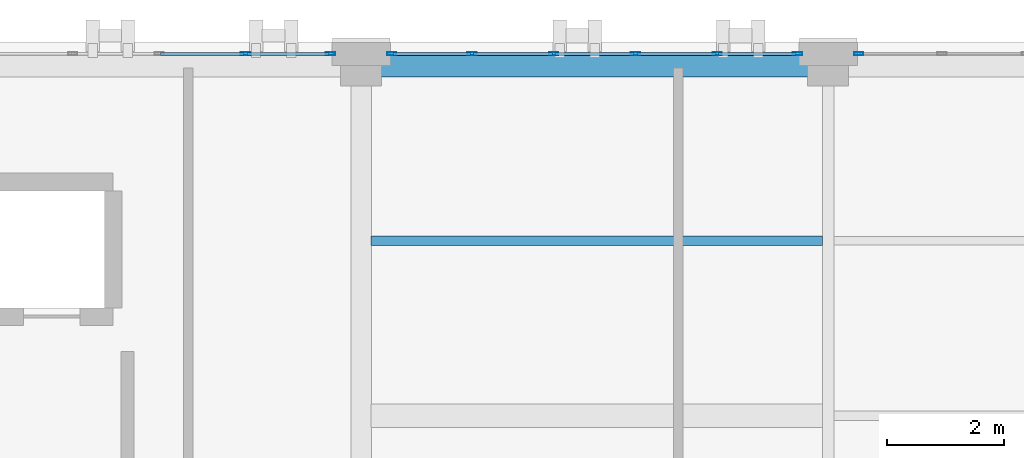
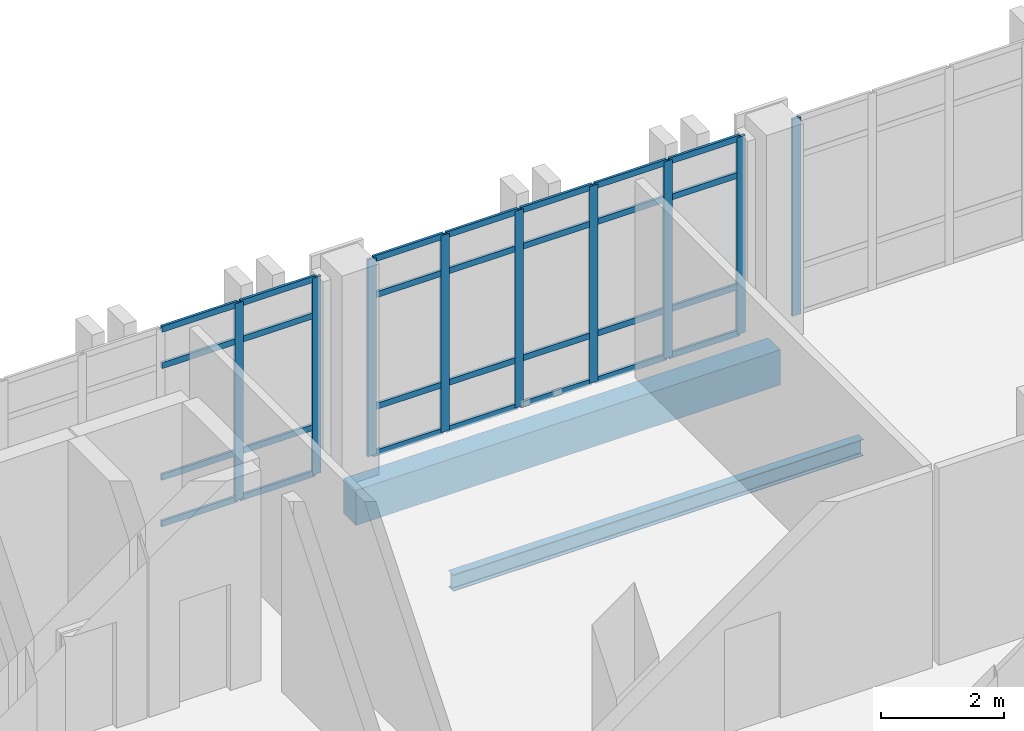
# One storey, part 92 of 158: 37 members, 2 beams, 3 elements without a shape of their own.
"""IFC4 building model written with IfcOpenShell, lengths in metres."""

from ifc_helpers import new_model, si_unit, direction, frame, origin, origin_2d, place, context, subcontext, project, spatial, rectangle, hollow_rectangle, i_section, extrude, material, layer, layer_set, material_profile, profile_set, type_object, element, aggregate, save


model = new_model("IFC4")

# Units and contexts
model_context = context("Model", 3, precision=1e-05, world=origin(), true_north=direction((0.0, 1.0)))
body_context = subcontext(model_context, "Body", "Model", "MODEL_VIEW")
ifc_project = project(units=[si_unit("LENGTHUNIT", "METRE"), si_unit("AREAUNIT", "SQUARE_METRE"), si_unit("VOLUMEUNIT", "CUBIC_METRE"), si_unit("PLANEANGLEUNIT", "RADIAN"), si_unit("MASSUNIT", "GRAM", prefix="KILO")], contexts=[model_context])

# Site, building, storey
site_placement = place(None, origin())
site = spatial("IfcSite", under=ifc_project, at=site_placement, CompositionType="ELEMENT")
building_placement = place(site_placement, origin())
building = spatial("IfcBuilding", under=site, at=building_placement, Name="Qalavern Law Courts", CompositionType="ELEMENT")
storey_placement = place(building_placement, frame((0.0, 0.0, 18.60009765625)))
storey = spatial("IfcBuildingStorey", under=building, at=storey_placement, Name="L04", CompositionType="ELEMENT", Elevation=18.60009765625)

# Curtain wall, member
ifc_material_1 = material(Name="Anodised aluminium and insulated glazing", Category="aluminium")
ifc_layer = layer(ifc_material_1, 0.166015625)
ifc_layer_set = layer_set([ifc_layer], Name="Anodised aluminium and insulated glazing")
curtain_wall_type = type_object("IfcCurtainWallType", Name="ENV-CW-LIB", PredefinedType="USERDEFINED", material=ifc_layer_set)
curtain_wall_1_placement = place(storey_placement, origin())
curtain_wall_1 = element("IfcCurtainWall", 1, at=curtain_wall_1_placement, inside=storey, type_object=curtain_wall_type, Name="V5 unitised curtain wall L04 north 3", ObjectType="UNITISED CURTAIN WALL", PredefinedType="USERDEFINED")
ifc_material_2 = material(Name="Anodised aluminium", Category="aluminium")
ifc_material_profile_1 = material_profile(ifc_material_2, hollow_rectangle(XDim=0.048095703125, YDim=0.159912109375, WallThickness=0.00390625, at=origin_2d()), Name="ALU MULLION 48x160")
ifc_profile_set_1 = profile_set([ifc_material_profile_1], Name="Anodised aluminium")
member_type_1 = type_object("IfcMemberType", Name="ENV-CWM-48x160", PredefinedType="MULLION", material=ifc_profile_set_1)
member_1_placement = place(storey_placement, frame((45.323974609375, 112.800048828125, 0.0), z_axis=(0.0, 0.0, 1.0), x_axis=(0.0, -1.0, 0.0)))
member_1 = element("IfcMember", 2, at=member_1_placement, type_object=member_type_1, Name="CW-05 mullion 5", PredefinedType="MULLION", context=body_context, shape_type="SweptSolid", body=[
    extrude(hollow_rectangle(XDim=0.048095703125, YDim=0.159912109375, WallThickness=0.00390625, at=origin_2d()), origin(), (0.0, 0.0, 1.0), 3.9248046875),
])
aggregate(curtain_wall_1, [member_1])

# Curtain wall, members
curtain_wall_2_placement = place(storey_placement, origin())
curtain_wall_2 = element("IfcCurtainWall", 3, at=curtain_wall_2_placement, inside=storey, type_object=curtain_wall_type, Name="V5 unitised curtain wall L04 north 4", ObjectType="UNITISED CURTAIN WALL", PredefinedType="USERDEFINED")
member_2_placement = place(storey_placement, frame((44.27587890625, 112.800048828125, 0.0), z_axis=(0.0, 0.0, 1.0), x_axis=(0.0, -1.0, 0.0)))
member_2 = element("IfcMember", 4, at=member_2_placement, type_object=member_type_1, Name="CW-05 mullion 1", PredefinedType="MULLION", context=body_context, shape_type="SweptSolid", body=[
    extrude(hollow_rectangle(XDim=0.048095703125, YDim=0.159912109375, WallThickness=0.00390625, at=origin_2d()), origin(), (0.0, 0.0, 1.0), 3.9248046875),
])
member_3_placement = place(storey_placement, frame((42.89990234375, 112.800048828125, 0.0), z_axis=(0.0, 0.0, 1.0), x_axis=(0.0, -1.0, 0.0)))
member_3 = element("IfcMember", 5, at=member_3_placement, type_object=member_type_1, Name="CW-05 mullion 2", PredefinedType="MULLION", context=body_context, shape_type="SweptSolid", body=[
    extrude(hollow_rectangle(XDim=0.048095703125, YDim=0.159912109375, WallThickness=0.00390625, at=origin_2d()), origin(), (0.0, 0.0, 1.0), 3.9248046875),
])
member_4_placement = place(storey_placement, frame((41.5, 112.800048828125, 0.0), z_axis=(0.0, 0.0, 1.0), x_axis=(0.0, -1.0, 0.0)))
member_4 = element("IfcMember", 6, at=member_4_placement, type_object=member_type_1, Name="CW-05 mullion 3", PredefinedType="MULLION", context=body_context, shape_type="SweptSolid", body=[
    extrude(hollow_rectangle(XDim=0.048095703125, YDim=0.159912109375, WallThickness=0.00390625, at=origin_2d()), origin(), (0.0, 0.0, 1.0), 3.9248046875),
])
member_5_placement = place(storey_placement, frame((40.10009765625, 112.800048828125, 0.0), z_axis=(0.0, 0.0, 1.0), x_axis=(0.0, -1.0, 0.0)))
member_5 = element("IfcMember", 7, at=member_5_placement, type_object=member_type_1, Name="CW-05 mullion 4", PredefinedType="MULLION", context=body_context, shape_type="SweptSolid", body=[
    extrude(hollow_rectangle(XDim=0.048095703125, YDim=0.159912109375, WallThickness=0.00390625, at=origin_2d()), origin(), (0.0, 0.0, 1.0), 3.9248046875),
])
member_6_placement = place(storey_placement, frame((38.699951171875, 112.800048828125, 0.0), z_axis=(0.0, 0.0, 1.0), x_axis=(0.0, -1.0, 0.0)))
member_6 = element("IfcMember", 8, at=member_6_placement, type_object=member_type_1, Name="CW-05 mullion 5", PredefinedType="MULLION", context=body_context, shape_type="SweptSolid", body=[
    extrude(hollow_rectangle(XDim=0.048095703125, YDim=0.159912109375, WallThickness=0.00390625, at=origin_2d()), origin(), (0.0, 0.0, 1.0), 3.9248046875),
])
member_7_placement = place(storey_placement, frame((37.323974609375, 112.800048828125, 0.0), z_axis=(0.0, 0.0, 1.0), x_axis=(0.0, -1.0, 0.0)))
member_7 = element("IfcMember", 9, at=member_7_placement, type_object=member_type_1, Name="CW-05 mullion 6", PredefinedType="MULLION", context=body_context, shape_type="SweptSolid", body=[
    extrude(hollow_rectangle(XDim=0.048095703125, YDim=0.159912109375, WallThickness=0.00390625, at=origin_2d()), origin(), (0.0, 0.0, 1.0), 3.9248046875),
])

curtain_wall_3_placement = place(storey_placement, origin())
curtain_wall_3 = element("IfcCurtainWall", 10, at=curtain_wall_3_placement, inside=storey, type_object=curtain_wall_type, Name="V5 unitised curtain wall L04 north 5", ObjectType="UNITISED CURTAIN WALL", PredefinedType="USERDEFINED")
member_8_placement = place(storey_placement, frame((36.27587890625, 112.800048828125, 0.0), z_axis=(0.0, 0.0, 1.0), x_axis=(0.0, -1.0, 0.0)))
member_8 = element("IfcMember", 11, at=member_8_placement, type_object=member_type_1, Name="CW-05 mullion 1", PredefinedType="MULLION", context=body_context, shape_type="SweptSolid", body=[
    extrude(hollow_rectangle(XDim=0.048095703125, YDim=0.159912109375, WallThickness=0.00390625, at=origin_2d()), origin(), (0.0, 0.0, 1.0), 3.9248046875),
])
member_9_placement = place(storey_placement, frame((34.820068359375, 112.800048828125, 0.0), z_axis=(0.0, 0.0, 1.0), x_axis=(0.0, -1.0, 0.0)))
member_9 = element("IfcMember", 12, at=member_9_placement, type_object=member_type_1, Name="CW-05 mullion 2", PredefinedType="MULLION", context=body_context, shape_type="SweptSolid", body=[
    extrude(hollow_rectangle(XDim=0.048095703125, YDim=0.159912109375, WallThickness=0.00390625, at=origin_2d()), origin(), (0.0, 0.0, 1.0), 3.9248046875),
])

# Member
ifc_material_profile_2 = material_profile(ifc_material_2, hollow_rectangle(XDim=0.048095703125, YDim=0.1201171875, WallThickness=0.00390625, at=origin_2d()), Name="ALU TRANSOM 48x120")
ifc_profile_set_2 = profile_set([ifc_material_profile_2], Name="Anodised aluminium")
member_type_2 = type_object("IfcMemberType", Name="ENV-CWT-48x120", PredefinedType="USERDEFINED", material=ifc_profile_set_2)
member_10_placement = place(storey_placement, frame((44.251953125, 112.800048828125, 0.02392578125), z_axis=(-1.0, 0.0, 0.0), x_axis=(0.0, -1.0, 0.0)))
member_10 = element("IfcMember", 13, at=member_10_placement, type_object=member_type_2, Name="CW-05 transom 1.1", ObjectType="TRANSOM", PredefinedType="USERDEFINED", context=body_context, shape_type="SweptSolid", body=[
    extrude(hollow_rectangle(XDim=0.048095703125, YDim=0.1201171875, WallThickness=0.00390625, at=origin_2d()), origin(), (0.0, 0.0, 1.0), 1.327880859375),
])

member_11_placement = place(storey_placement, frame((44.251953125, 112.800048828125, 0.949951171875), z_axis=(-1.0, 0.0, 0.0), x_axis=(0.0, -1.0, 0.0)))
member_11 = element("IfcMember", 14, at=member_11_placement, type_object=member_type_2, Name="CW-05 transom 1.2", ObjectType="TRANSOM", PredefinedType="USERDEFINED", context=body_context, shape_type="SweptSolid", body=[
    extrude(hollow_rectangle(XDim=0.048095703125, YDim=0.1201171875, WallThickness=0.00390625, at=origin_2d()), origin(), (0.0, 0.0, 1.0), 1.327880859375),
])

member_12_placement = place(storey_placement, frame((44.251953125, 112.800048828125, 3.1748046875), z_axis=(-1.0, 0.0, 0.0), x_axis=(0.0, -1.0, 0.0)))
member_12 = element("IfcMember", 15, at=member_12_placement, type_object=member_type_2, Name="CW-05 transom 1.3", ObjectType="TRANSOM", PredefinedType="USERDEFINED", context=body_context, shape_type="SweptSolid", body=[
    extrude(hollow_rectangle(XDim=0.048095703125, YDim=0.1201171875, WallThickness=0.00390625, at=origin_2d()), origin(), (0.0, 0.0, 1.0), 1.327880859375),
])

member_13_placement = place(storey_placement, frame((44.251953125, 112.800048828125, 3.90087890625), z_axis=(-1.0, 0.0, 0.0), x_axis=(0.0, -1.0, 0.0)))
member_13 = element("IfcMember", 16, at=member_13_placement, type_object=member_type_2, Name="CW-05 transom 1.4", ObjectType="TRANSOM", PredefinedType="USERDEFINED", context=body_context, shape_type="SweptSolid", body=[
    extrude(hollow_rectangle(XDim=0.048095703125, YDim=0.1201171875, WallThickness=0.00390625, at=origin_2d()), origin(), (0.0, 0.0, 1.0), 1.327880859375),
])

member_14_placement = place(storey_placement, frame((42.8759765625, 112.800048828125, 0.02392578125), z_axis=(-1.0, 0.0, 0.0), x_axis=(0.0, -1.0, 0.0)))
member_14 = element("IfcMember", 17, at=member_14_placement, type_object=member_type_2, Name="CW-05 transom 2.1", ObjectType="TRANSOM", PredefinedType="USERDEFINED", context=body_context, shape_type="SweptSolid", body=[
    extrude(hollow_rectangle(XDim=0.048095703125, YDim=0.1201171875, WallThickness=0.00390625, at=origin_2d()), origin(), (0.0, 0.0, 1.0), 1.35205078125),
])

member_15_placement = place(storey_placement, frame((42.8759765625, 112.800048828125, 0.949951171875), z_axis=(-1.0, 0.0, 0.0), x_axis=(0.0, -1.0, 0.0)))
member_15 = element("IfcMember", 18, at=member_15_placement, type_object=member_type_2, Name="CW-05 transom 2.2", ObjectType="TRANSOM", PredefinedType="USERDEFINED", context=body_context, shape_type="SweptSolid", body=[
    extrude(hollow_rectangle(XDim=0.048095703125, YDim=0.1201171875, WallThickness=0.00390625, at=origin_2d()), origin(), (0.0, 0.0, 1.0), 1.35205078125),
])

member_16_placement = place(storey_placement, frame((42.8759765625, 112.800048828125, 3.1748046875), z_axis=(-1.0, 0.0, 0.0), x_axis=(0.0, -1.0, 0.0)))
member_16 = element("IfcMember", 19, at=member_16_placement, type_object=member_type_2, Name="CW-05 transom 2.3", ObjectType="TRANSOM", PredefinedType="USERDEFINED", context=body_context, shape_type="SweptSolid", body=[
    extrude(hollow_rectangle(XDim=0.048095703125, YDim=0.1201171875, WallThickness=0.00390625, at=origin_2d()), origin(), (0.0, 0.0, 1.0), 1.35205078125),
])

member_17_placement = place(storey_placement, frame((42.8759765625, 112.800048828125, 3.90087890625), z_axis=(-1.0, 0.0, 0.0), x_axis=(0.0, -1.0, 0.0)))
member_17 = element("IfcMember", 20, at=member_17_placement, type_object=member_type_2, Name="CW-05 transom 2.4", ObjectType="TRANSOM", PredefinedType="USERDEFINED", context=body_context, shape_type="SweptSolid", body=[
    extrude(hollow_rectangle(XDim=0.048095703125, YDim=0.1201171875, WallThickness=0.00390625, at=origin_2d()), origin(), (0.0, 0.0, 1.0), 1.35205078125),
])

member_18_placement = place(storey_placement, frame((41.47607421875, 112.800048828125, 0.02392578125), z_axis=(-1.0, 0.0, 0.0), x_axis=(0.0, -1.0, 0.0)))
member_18 = element("IfcMember", 21, at=member_18_placement, type_object=member_type_2, Name="CW-05 transom 3.1", ObjectType="TRANSOM", PredefinedType="USERDEFINED", context=body_context, shape_type="SweptSolid", body=[
    extrude(hollow_rectangle(XDim=0.048095703125, YDim=0.1201171875, WallThickness=0.00390625, at=origin_2d()), origin(), (0.0, 0.0, 1.0), 1.35205078125),
])

member_19_placement = place(storey_placement, frame((41.47607421875, 112.800048828125, 0.949951171875), z_axis=(-1.0, 0.0, 0.0), x_axis=(0.0, -1.0, 0.0)))
member_19 = element("IfcMember", 22, at=member_19_placement, type_object=member_type_2, Name="CW-05 transom 3.2", ObjectType="TRANSOM", PredefinedType="USERDEFINED", context=body_context, shape_type="SweptSolid", body=[
    extrude(hollow_rectangle(XDim=0.048095703125, YDim=0.1201171875, WallThickness=0.00390625, at=origin_2d()), origin(), (0.0, 0.0, 1.0), 1.35205078125),
])

member_20_placement = place(storey_placement, frame((41.47607421875, 112.800048828125, 3.1748046875), z_axis=(-1.0, 0.0, 0.0), x_axis=(0.0, -1.0, 0.0)))
member_20 = element("IfcMember", 23, at=member_20_placement, type_object=member_type_2, Name="CW-05 transom 3.3", ObjectType="TRANSOM", PredefinedType="USERDEFINED", context=body_context, shape_type="SweptSolid", body=[
    extrude(hollow_rectangle(XDim=0.048095703125, YDim=0.1201171875, WallThickness=0.00390625, at=origin_2d()), origin(), (0.0, 0.0, 1.0), 1.35205078125),
])

member_21_placement = place(storey_placement, frame((41.47607421875, 112.800048828125, 3.90087890625), z_axis=(-1.0, 0.0, 0.0), x_axis=(0.0, -1.0, 0.0)))
member_21 = element("IfcMember", 24, at=member_21_placement, type_object=member_type_2, Name="CW-05 transom 3.4", ObjectType="TRANSOM", PredefinedType="USERDEFINED", context=body_context, shape_type="SweptSolid", body=[
    extrude(hollow_rectangle(XDim=0.048095703125, YDim=0.1201171875, WallThickness=0.00390625, at=origin_2d()), origin(), (0.0, 0.0, 1.0), 1.35205078125),
])

member_22_placement = place(storey_placement, frame((40.075927734375, 112.800048828125, 0.02392578125), z_axis=(-1.0, 0.0, 0.0), x_axis=(0.0, -1.0, 0.0)))
member_22 = element("IfcMember", 25, at=member_22_placement, type_object=member_type_2, Name="CW-05 transom 4.1", ObjectType="TRANSOM", PredefinedType="USERDEFINED", context=body_context, shape_type="SweptSolid", body=[
    extrude(hollow_rectangle(XDim=0.048095703125, YDim=0.1201171875, WallThickness=0.00390625, at=origin_2d()), origin(), (0.0, 0.0, 1.0), 1.351806640625),
])

member_23_placement = place(storey_placement, frame((40.075927734375, 112.800048828125, 0.949951171875), z_axis=(-1.0, 0.0, 0.0), x_axis=(0.0, -1.0, 0.0)))
member_23 = element("IfcMember", 26, at=member_23_placement, type_object=member_type_2, Name="CW-05 transom 4.2", ObjectType="TRANSOM", PredefinedType="USERDEFINED", context=body_context, shape_type="SweptSolid", body=[
    extrude(hollow_rectangle(XDim=0.048095703125, YDim=0.1201171875, WallThickness=0.00390625, at=origin_2d()), origin(), (0.0, 0.0, 1.0), 1.351806640625),
])

member_24_placement = place(storey_placement, frame((40.075927734375, 112.800048828125, 3.1748046875), z_axis=(-1.0, 0.0, 0.0), x_axis=(0.0, -1.0, 0.0)))
member_24 = element("IfcMember", 27, at=member_24_placement, type_object=member_type_2, Name="CW-05 transom 4.3", ObjectType="TRANSOM", PredefinedType="USERDEFINED", context=body_context, shape_type="SweptSolid", body=[
    extrude(hollow_rectangle(XDim=0.048095703125, YDim=0.1201171875, WallThickness=0.00390625, at=origin_2d()), origin(), (0.0, 0.0, 1.0), 1.351806640625),
])

member_25_placement = place(storey_placement, frame((40.075927734375, 112.800048828125, 3.90087890625), z_axis=(-1.0, 0.0, 0.0), x_axis=(0.0, -1.0, 0.0)))
member_25 = element("IfcMember", 28, at=member_25_placement, type_object=member_type_2, Name="CW-05 transom 4.4", ObjectType="TRANSOM", PredefinedType="USERDEFINED", context=body_context, shape_type="SweptSolid", body=[
    extrude(hollow_rectangle(XDim=0.048095703125, YDim=0.1201171875, WallThickness=0.00390625, at=origin_2d()), origin(), (0.0, 0.0, 1.0), 1.351806640625),
])

member_26_placement = place(storey_placement, frame((38.676025390625, 112.800048828125, 0.02392578125), z_axis=(-1.0, 0.0, 0.0), x_axis=(0.0, -1.0, 0.0)))
member_26 = element("IfcMember", 29, at=member_26_placement, type_object=member_type_2, Name="CW-05 transom 5.1", ObjectType="TRANSOM", PredefinedType="USERDEFINED", context=body_context, shape_type="SweptSolid", body=[
    extrude(hollow_rectangle(XDim=0.048095703125, YDim=0.1201171875, WallThickness=0.00390625, at=origin_2d()), origin(), (0.0, 0.0, 1.0), 1.328125),
])

member_27_placement = place(storey_placement, frame((38.676025390625, 112.800048828125, 0.949951171875), z_axis=(-1.0, 0.0, 0.0), x_axis=(0.0, -1.0, 0.0)))
member_27 = element("IfcMember", 30, at=member_27_placement, type_object=member_type_2, Name="CW-05 transom 5.2", ObjectType="TRANSOM", PredefinedType="USERDEFINED", context=body_context, shape_type="SweptSolid", body=[
    extrude(hollow_rectangle(XDim=0.048095703125, YDim=0.1201171875, WallThickness=0.00390625, at=origin_2d()), origin(), (0.0, 0.0, 1.0), 1.328125),
])

member_28_placement = place(storey_placement, frame((38.676025390625, 112.800048828125, 3.1748046875), z_axis=(-1.0, 0.0, 0.0), x_axis=(0.0, -1.0, 0.0)))
member_28 = element("IfcMember", 31, at=member_28_placement, type_object=member_type_2, Name="CW-05 transom 5.3", ObjectType="TRANSOM", PredefinedType="USERDEFINED", context=body_context, shape_type="SweptSolid", body=[
    extrude(hollow_rectangle(XDim=0.048095703125, YDim=0.1201171875, WallThickness=0.00390625, at=origin_2d()), origin(), (0.0, 0.0, 1.0), 1.328125),
])

member_29_placement = place(storey_placement, frame((38.676025390625, 112.800048828125, 3.90087890625), z_axis=(-1.0, 0.0, 0.0), x_axis=(0.0, -1.0, 0.0)))
member_29 = element("IfcMember", 32, at=member_29_placement, type_object=member_type_2, Name="CW-05 transom 5.4", ObjectType="TRANSOM", PredefinedType="USERDEFINED", context=body_context, shape_type="SweptSolid", body=[
    extrude(hollow_rectangle(XDim=0.048095703125, YDim=0.1201171875, WallThickness=0.00390625, at=origin_2d()), origin(), (0.0, 0.0, 1.0), 1.328125),
])

aggregate(curtain_wall_2, [member_2, member_3, member_4, member_5, member_6, member_7, member_10, member_11, member_12, member_13, member_14, member_15, member_16, member_17, member_18, member_19, member_20, member_21, member_22, member_23, member_24, member_25, member_26, member_27, member_28, member_29])

member_30_placement = place(storey_placement, frame((36.251953125, 112.800048828125, 0.02392578125), z_axis=(-1.0, 0.0, 0.0), x_axis=(0.0, -1.0, 0.0)))
member_30 = element("IfcMember", 33, at=member_30_placement, type_object=member_type_2, Name="CW-05 transom 1.1", ObjectType="TRANSOM", PredefinedType="USERDEFINED", context=body_context, shape_type="SweptSolid", body=[
    extrude(hollow_rectangle(XDim=0.048095703125, YDim=0.1201171875, WallThickness=0.00390625, at=origin_2d()), origin(), (0.0, 0.0, 1.0), 1.407958984375),
])

member_31_placement = place(storey_placement, frame((36.251953125, 112.800048828125, 0.949951171875), z_axis=(-1.0, 0.0, 0.0), x_axis=(0.0, -1.0, 0.0)))
member_31 = element("IfcMember", 34, at=member_31_placement, type_object=member_type_2, Name="CW-05 transom 1.2", ObjectType="TRANSOM", PredefinedType="USERDEFINED", context=body_context, shape_type="SweptSolid", body=[
    extrude(hollow_rectangle(XDim=0.048095703125, YDim=0.1201171875, WallThickness=0.00390625, at=origin_2d()), origin(), (0.0, 0.0, 1.0), 1.407958984375),
])

member_32_placement = place(storey_placement, frame((36.251953125, 112.800048828125, 3.1748046875), z_axis=(-1.0, 0.0, 0.0), x_axis=(0.0, -1.0, 0.0)))
member_32 = element("IfcMember", 35, at=member_32_placement, type_object=member_type_2, Name="CW-05 transom 1.3", ObjectType="TRANSOM", PredefinedType="USERDEFINED", context=body_context, shape_type="SweptSolid", body=[
    extrude(hollow_rectangle(XDim=0.048095703125, YDim=0.1201171875, WallThickness=0.00390625, at=origin_2d()), origin(), (0.0, 0.0, 1.0), 1.407958984375),
])

member_33_placement = place(storey_placement, frame((36.251953125, 112.800048828125, 3.90087890625), z_axis=(-1.0, 0.0, 0.0), x_axis=(0.0, -1.0, 0.0)))
member_33 = element("IfcMember", 36, at=member_33_placement, type_object=member_type_2, Name="CW-05 transom 1.4", ObjectType="TRANSOM", PredefinedType="USERDEFINED", context=body_context, shape_type="SweptSolid", body=[
    extrude(hollow_rectangle(XDim=0.048095703125, YDim=0.1201171875, WallThickness=0.00390625, at=origin_2d()), origin(), (0.0, 0.0, 1.0), 1.407958984375),
])

member_34_placement = place(storey_placement, frame((34.7958984375, 112.800048828125, 0.02392578125), z_axis=(-1.0, 0.0, 0.0), x_axis=(0.0, -1.0, 0.0)))
member_34 = element("IfcMember", 37, at=member_34_placement, type_object=member_type_2, Name="CW-05 transom 2.1", ObjectType="TRANSOM", PredefinedType="USERDEFINED", context=body_context, shape_type="SweptSolid", body=[
    extrude(hollow_rectangle(XDim=0.048095703125, YDim=0.1201171875, WallThickness=0.00390625, at=origin_2d()), origin(), (0.0, 0.0, 1.0), 1.431884765625),
])

member_35_placement = place(storey_placement, frame((34.7958984375, 112.800048828125, 0.949951171875), z_axis=(-1.0, 0.0, 0.0), x_axis=(0.0, -1.0, 0.0)))
member_35 = element("IfcMember", 38, at=member_35_placement, type_object=member_type_2, Name="CW-05 transom 2.2", ObjectType="TRANSOM", PredefinedType="USERDEFINED", context=body_context, shape_type="SweptSolid", body=[
    extrude(hollow_rectangle(XDim=0.048095703125, YDim=0.1201171875, WallThickness=0.00390625, at=origin_2d()), origin(), (0.0, 0.0, 1.0), 1.431884765625),
])

member_36_placement = place(storey_placement, frame((34.7958984375, 112.800048828125, 3.1748046875), z_axis=(-1.0, 0.0, 0.0), x_axis=(0.0, -1.0, 0.0)))
member_36 = element("IfcMember", 39, at=member_36_placement, type_object=member_type_2, Name="CW-05 transom 2.3", ObjectType="TRANSOM", PredefinedType="USERDEFINED", context=body_context, shape_type="SweptSolid", body=[
    extrude(hollow_rectangle(XDim=0.048095703125, YDim=0.1201171875, WallThickness=0.00390625, at=origin_2d()), origin(), (0.0, 0.0, 1.0), 1.431884765625),
])

member_37_placement = place(storey_placement, frame((34.7958984375, 112.800048828125, 3.90087890625), z_axis=(-1.0, 0.0, 0.0), x_axis=(0.0, -1.0, 0.0)))
member_37 = element("IfcMember", 40, at=member_37_placement, type_object=member_type_2, Name="CW-05 transom 2.4", ObjectType="TRANSOM", PredefinedType="USERDEFINED", context=body_context, shape_type="SweptSolid", body=[
    extrude(hollow_rectangle(XDim=0.048095703125, YDim=0.1201171875, WallThickness=0.00390625, at=origin_2d()), origin(), (0.0, 0.0, 1.0), 1.431884765625),
])

aggregate(curtain_wall_3, [member_8, member_9, member_30, member_31, member_32, member_33, member_34, member_35, member_36, member_37])

# Beams
ifc_material_3 = material(Name="Steel S355", Category="steel")
ifc_material_profile_3 = material_profile(ifc_material_3, i_section(OverallWidth=0.159912109375, OverallDepth=0.330078125, WebThickness=0.007568359375, FlangeThickness=0.011474609375, FilletRadius=0.01806640625, at=origin_2d()), Name="IPE 330")
ifc_profile_set_3 = profile_set([ifc_material_profile_3], Name="Steel S355")
beam_type_1 = type_object("IfcBeamType", Name="STR-JST-IPE330", PredefinedType="JOIST", material=ifc_profile_set_3)
beam_1_placement = place(storey_placement, frame((36.972900390625, 109.60009765625, -0.445068359375), z_axis=(1.0, 0.0, 0.0), x_axis=(0.0, 1.0, 0.0)))
element("IfcBeam", 41, at=beam_1_placement, inside=storey, type_object=beam_type_1, Name="V5 secondary joist 5.2.2 L04", PredefinedType="JOIST", context=body_context, shape_type="SweptSolid", body=[
    extrude(i_section(OverallWidth=0.159912109375, OverallDepth=0.330078125, WebThickness=0.007568359375, FlangeThickness=0.011474609375, FilletRadius=0.01806640625, at=origin_2d()), origin(), (0.0, 0.0, 1.0), 7.72900390625),
])
ifc_material_4 = material(Name="Concrete C40/50", Category="concrete")
ifc_material_profile_4 = material_profile(ifc_material_4, rectangle(XDim=0.39990234375, YDim=0.699951171875, at=origin_2d()), Name="RC 400x700")
ifc_profile_set_4 = profile_set([ifc_material_profile_4], Name="Concrete C40/50")
beam_type_2 = type_object("IfcBeamType", Name="STR-SP-RC400x700", PredefinedType="SPANDREL", material=ifc_profile_set_4)
beam_2_placement = place(storey_placement, frame((36.800048828125, 112.60009765625, -0.630126953125), z_axis=(1.0, 0.0, 0.0), x_axis=(0.0, 1.0, 0.0)))
element("IfcBeam", 42, at=beam_2_placement, inside=storey, type_object=beam_type_2, Name="V5 X-beam 3-5 L04", PredefinedType="SPANDREL", context=body_context, shape_type="SweptSolid", body=[
    extrude(rectangle(XDim=0.39990234375, YDim=0.699951171875, at=origin_2d()), origin(), (0.0, 0.0, 1.0), 8.0),
])

save(model, "model.ifc")
